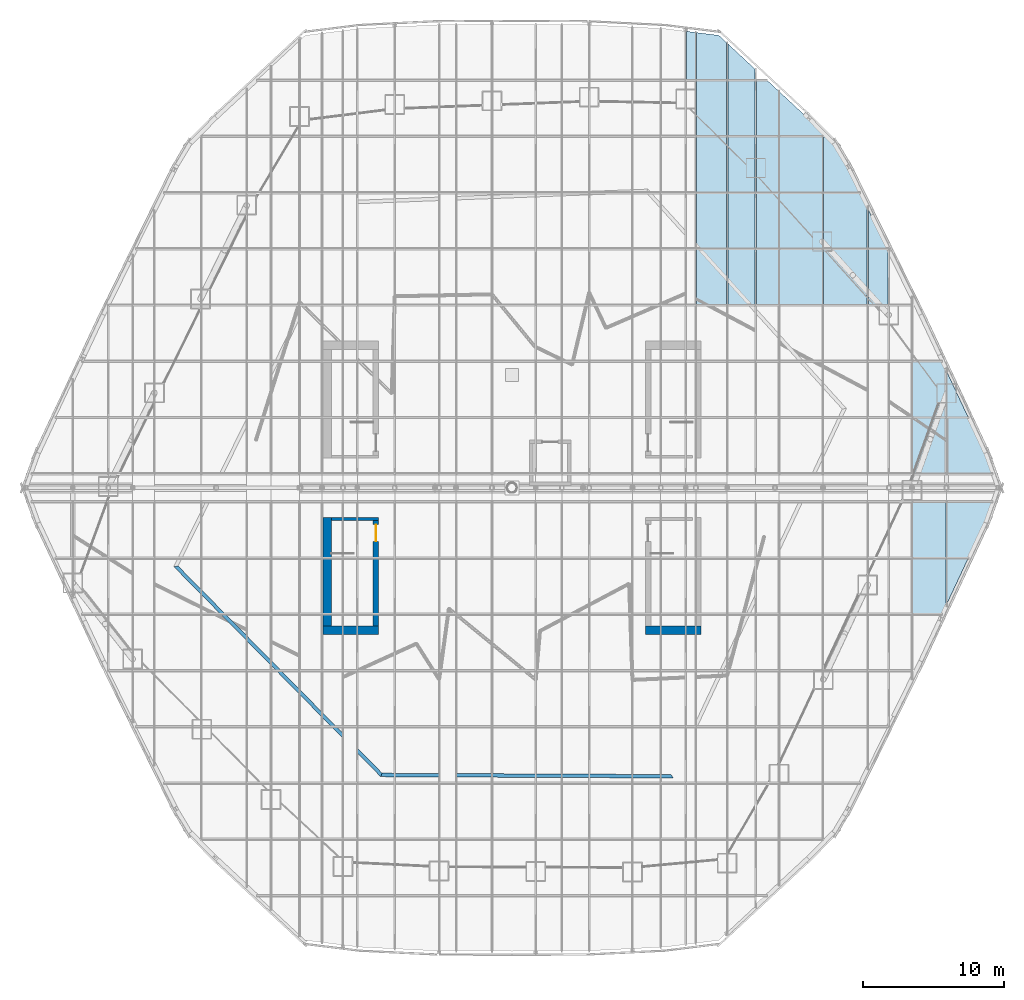
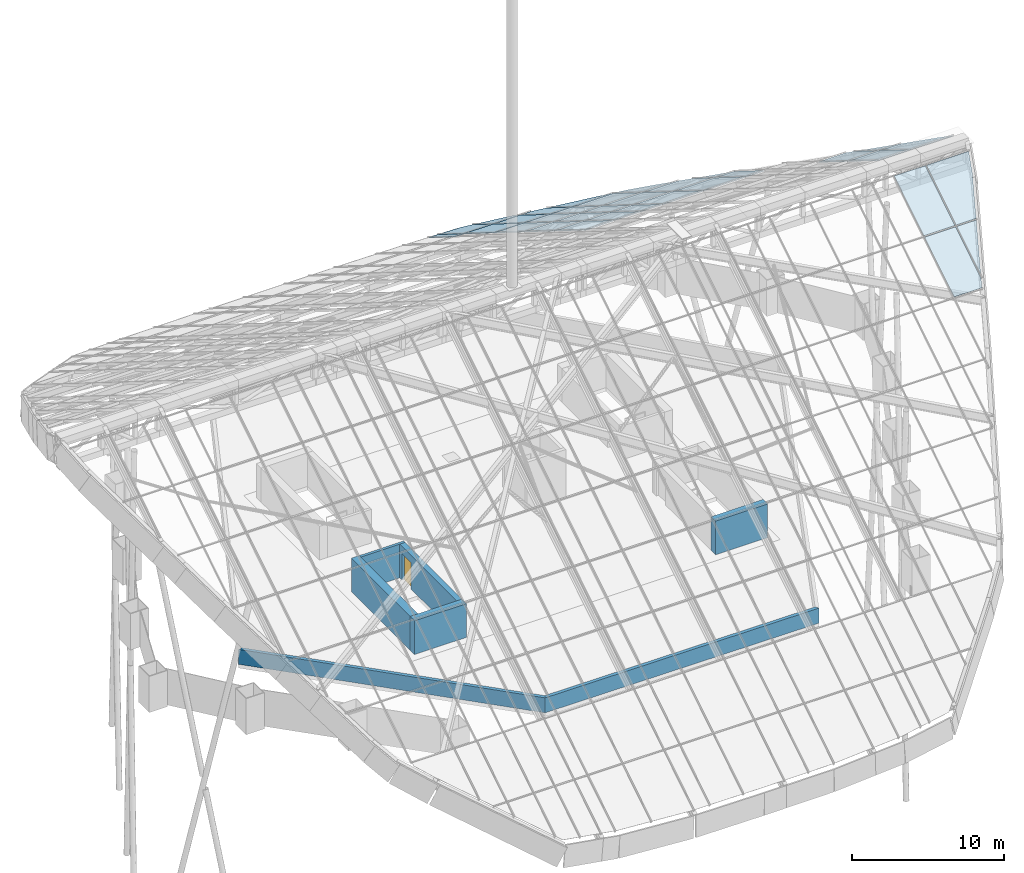
# One storey, part 35 of 38: 32 plates, 7 walls, 1 door, 1 opening, 32 elements without a shape of their own.
"""IFC4 building model written with IfcOpenShell, lengths in metres."""

from ifc_helpers import new_model, si_unit, direction, frame, frame_2d, origin, place, context, subcontext, project, spatial, polyline, rectangle, outline, extrude, material, layer, layer_set, type_object, element, fill, aggregate, save


model = new_model("IFC4")

# Units and contexts
model_context = context("Model", 3, precision=1e-05, world=origin(), true_north=direction((0.0, 1.0)))
body_context = subcontext(model_context, "Body", "Model", "MODEL_VIEW")
ifc_project = project(units=[si_unit("LENGTHUNIT", "METRE"), si_unit("AREAUNIT", "SQUARE_METRE"), si_unit("VOLUMEUNIT", "CUBIC_METRE"), si_unit("PLANEANGLEUNIT", "RADIAN"), si_unit("MASSUNIT", "GRAM", prefix="KILO")], contexts=[model_context])

# Site, building, storey
site_placement = place(None, origin())
site = spatial("IfcSite", under=ifc_project, at=site_placement, CompositionType="ELEMENT")
building_placement = place(site_placement, origin())
building = spatial("IfcBuilding", under=site, at=building_placement, Name="Dongbaek Canopy Tower", CompositionType="ELEMENT")
storey_placement = place(building_placement, frame((0.0, 0.0, 375.800048828125)))
storey = spatial("IfcBuildingStorey", under=building, at=storey_placement, Name="Roof", CompositionType="ELEMENT", Elevation=375.800048828125)

# Curtain wall, plate
ifc_material_1 = material(Name="Aluminium 6063-T6 pale anodised", Category="aluminium")
ifc_layer_1 = layer(ifc_material_1, 0.199951171875)
ifc_layer_set_1 = layer_set([ifc_layer_1], Name="CW-6 canopy glazing curtain wall")
curtain_wall_type = type_object("IfcCurtainWallType", Name="CW-6 canopy glazing curtain wall", PredefinedType="NOTDEFINED", material=ifc_layer_set_1)
curtain_wall_1_placement = place(storey_placement, origin())
curtain_wall_1 = element("IfcCurtainWall", 1, at=curtain_wall_1_placement, inside=storey, type_object=curtain_wall_type, Name="CW-6 canopy glazing north 22.8", PredefinedType="NOTDEFINED")
ifc_material_2 = material(Name="Clear laminated glass", Category="glass")
ifc_layer_2 = layer(ifc_material_2, 0.0400390625)
ifc_layer_set_2 = layer_set([ifc_layer_2], Name="CW-6 glazed panel 40")
plate_type = type_object("IfcPlateType", Name="CW-6 glazed panel 40", PredefinedType="CURTAIN_PANEL", material=ifc_layer_set_2)
plate_1_placement = place(storey_placement, frame((12.9921875, 28.946533203125, 0.659423828125), z_axis=(1.4860009e-05, 0.529935495472, 0.848037953406), x_axis=(-0.99999999989, 7.874846e-06, 1.2601852e-05)))
plate_1 = element("IfcPlate", 2, at=plate_1_placement, type_object=plate_type, Name="CW-6 panel N22.8", PredefinedType="CURTAIN_PANEL", context=body_context, shape_type="SweptSolid", body=[
    extrude(outline(polyline([(0.0, 0.0), (0.6352539061798617, 5.380809884657445e-22), (0.6352539063201383, -4.024679462619028), (-1.4027668391832556e-10, -3.931127401954902), (0.0, 0.0)])), origin(), (0.0, 0.0, -1.0), 0.0400390625),
])
aggregate(curtain_wall_1, [plate_1])

curtain_wall_2_placement = place(storey_placement, origin())
curtain_wall_2 = element("IfcCurtainWall", 3, at=curtain_wall_2_placement, inside=storey, type_object=curtain_wall_type, Name="CW-6 canopy glazing north 23.4", PredefinedType="NOTDEFINED")
plate_2_placement = place(storey_placement, frame((15.208984375, 13.001708984375, 10.622802734375), z_axis=(0.0, 0.52990827259, 0.848054964398), x_axis=(-1.0, 0.0, 0.0)))
plate_2 = element("IfcPlate", 4, at=plate_2_placement, type_object=plate_type, Name="CW-6 panel N23.4", PredefinedType="CURTAIN_PANEL", context=body_context, shape_type="SweptSolid", body=[
    extrude(outline(polyline([(0.0, 0.0), (2.130615234375, 0.0), (2.130615234375, -4.59893125811938), (0.0, -4.59893125811938), (0.0, 0.0)])), origin(), (0.0, 0.0, -1.0), 0.0400390625),
])
aggregate(curtain_wall_2, [plate_2])

curtain_wall_3_placement = place(storey_placement, origin())
curtain_wall_3 = element("IfcCurtainWall", 5, at=curtain_wall_3_placement, inside=storey, type_object=curtain_wall_type, Name="CW-6 canopy glazing north 23.5", PredefinedType="NOTDEFINED")
plate_3_placement = place(storey_placement, frame((15.208984375, 16.98779296875, 8.132080078125), z_axis=(0.0, 0.529946450558, 0.848031107649), x_axis=(-1.0, 0.0, 0.0)))
plate_3 = element("IfcPlate", 6, at=plate_3_placement, type_object=plate_type, Name="CW-6 panel N23.5", PredefinedType="CURTAIN_PANEL", context=body_context, shape_type="SweptSolid", body=[
    extrude(outline(polyline([(0.0, 0.0), (2.130615234375, 0.0), (2.130615234375, -4.599060634916706), (0.0, -4.599060634916706), (0.0, 0.0)])), origin(), (0.0, 0.0, -1.0), 0.0400390625),
])
aggregate(curtain_wall_3, [plate_3])

curtain_wall_4_placement = place(storey_placement, origin())
curtain_wall_4 = element("IfcCurtainWall", 7, at=curtain_wall_4_placement, inside=storey, type_object=curtain_wall_type, Name="CW-6 canopy glazing north 23.6", PredefinedType="NOTDEFINED")
plate_4_placement = place(storey_placement, frame((15.208984375, 20.97412109375, 5.64111328125), z_axis=(0.0, 0.52990827259, 0.848054964398), x_axis=(-1.0, 0.0, 0.0)))
plate_4 = element("IfcPlate", 8, at=plate_4_placement, type_object=plate_type, Name="CW-6 panel N23.6", PredefinedType="CURTAIN_PANEL", context=body_context, shape_type="SweptSolid", body=[
    extrude(outline(polyline([(0.0, 0.0), (2.130615234375, 0.0), (2.130615234375, -4.59893125811938), (0.0, -4.59893125811938), (0.0, 0.0)])), origin(), (0.0, 0.0, -1.0), 0.0400390625),
])
aggregate(curtain_wall_4, [plate_4])

curtain_wall_5_placement = place(storey_placement, origin())
curtain_wall_5 = element("IfcCurtainWall", 9, at=curtain_wall_5_placement, inside=storey, type_object=curtain_wall_type, Name="CW-6 canopy glazing north 23.7", PredefinedType="NOTDEFINED")
plate_5_placement = place(storey_placement, frame((15.208984375, 24.960205078125, 3.150390625), z_axis=(0.0, 0.529946450558, 0.848031107649), x_axis=(-1.0, 0.0, 0.0)))
plate_5 = element("IfcPlate", 10, at=plate_5_placement, type_object=plate_type, Name="CW-6 panel N23.7", PredefinedType="CURTAIN_PANEL", context=body_context, shape_type="SweptSolid", body=[
    extrude(outline(polyline([(0.0, 0.0), (2.130615234375, 0.0), (2.130615234375, -4.599060634916706), (0.0, -4.599060634916706), (0.0, 0.0)])), origin(), (0.0, 0.0, -1.0), 0.0400390625),
])
aggregate(curtain_wall_5, [plate_5])

curtain_wall_6_placement = place(storey_placement, origin())
curtain_wall_6 = element("IfcCurtainWall", 11, at=curtain_wall_6_placement, inside=storey, type_object=curtain_wall_type, Name="CW-6 canopy glazing north 23.8", PredefinedType="NOTDEFINED")
plate_6_placement = place(storey_placement, frame((15.208984375, 31.557861328125, -0.972412109375), z_axis=(1.8974071e-05, 0.529909270428, 0.848054340685), x_axis=(-7.31e-10, -0.848054340837, 0.529909270524)))
plate_6 = element("IfcPlate", 12, at=plate_6_placement, type_object=plate_type, Name="CW-6 panel N23.8", PredefinedType="CURTAIN_PANEL", context=body_context, shape_type="SweptSolid", body=[
    extrude(outline(polyline([(0.0, 0.0), (3.079273143011842, -3.3881317890172014e-21), (3.079273144568477, -2.130615233991473), (-0.8391218698214117, -2.130615236358199), (-0.6070403106565837, -0.5534668004202177), (0.0, 0.0)])), origin(), (0.0, 0.0, -1.0), 0.0400390625),
])
aggregate(curtain_wall_6, [plate_6])

curtain_wall_7_placement = place(storey_placement, origin())
curtain_wall_7 = element("IfcCurtainWall", 13, at=curtain_wall_7_placement, inside=storey, type_object=curtain_wall_type, Name="CW-6 canopy glazing north 24.4", PredefinedType="NOTDEFINED")
plate_7_placement = place(storey_placement, frame((17.23291015625, 13.001708984375, 10.622802734375), z_axis=(0.0, 0.52990827259, 0.848054964398), x_axis=(-1.0, 0.0, 0.0)))
plate_7 = element("IfcPlate", 14, at=plate_7_placement, type_object=plate_type, Name="CW-6 panel N24.4", PredefinedType="CURTAIN_PANEL", context=body_context, shape_type="SweptSolid", body=[
    extrude(outline(polyline([(0.0, 0.0), (1.93798828125, 0.0), (1.93798828125, -4.59893125811938), (0.0, -4.59893125811938), (0.0, 0.0)])), origin(), (0.0, 0.0, -1.0), 0.0400390625),
])
aggregate(curtain_wall_7, [plate_7])

curtain_wall_8_placement = place(storey_placement, origin())
curtain_wall_8 = element("IfcCurtainWall", 15, at=curtain_wall_8_placement, inside=storey, type_object=curtain_wall_type, Name="CW-6 canopy glazing north 24.5", PredefinedType="NOTDEFINED")
plate_8_placement = place(storey_placement, frame((17.23291015625, 16.98779296875, 8.132080078125), z_axis=(0.0, 0.529946450558, 0.848031107649), x_axis=(-1.0, 0.0, 0.0)))
plate_8 = element("IfcPlate", 16, at=plate_8_placement, type_object=plate_type, Name="CW-6 panel N24.5", PredefinedType="CURTAIN_PANEL", context=body_context, shape_type="SweptSolid", body=[
    extrude(outline(polyline([(0.0, 0.0), (1.93798828125, 0.0), (1.93798828125, -4.599060634916705), (0.0, -4.599060634916705), (0.0, 0.0)])), origin(), (0.0, 0.0, -1.0), 0.0400390625),
])
aggregate(curtain_wall_8, [plate_8])

curtain_wall_9_placement = place(storey_placement, origin())
curtain_wall_9 = element("IfcCurtainWall", 17, at=curtain_wall_9_placement, inside=storey, type_object=curtain_wall_type, Name="CW-6 canopy glazing north 24.6", PredefinedType="NOTDEFINED")
plate_9_placement = place(storey_placement, frame((17.23291015625, 20.97412109375, 5.64111328125), z_axis=(0.0, 0.52990827259, 0.848054964398), x_axis=(-1.0, 0.0, 0.0)))
plate_9 = element("IfcPlate", 18, at=plate_9_placement, type_object=plate_type, Name="CW-6 panel N24.6", PredefinedType="CURTAIN_PANEL", context=body_context, shape_type="SweptSolid", body=[
    extrude(outline(polyline([(0.0, 0.0), (1.93798828125, 0.0), (1.93798828125, -4.59893125811938), (0.0, -4.59893125811938), (0.0, 0.0)])), origin(), (0.0, 0.0, -1.0), 0.0400390625),
])
aggregate(curtain_wall_9, [plate_9])

curtain_wall_10_placement = place(storey_placement, origin())
curtain_wall_10 = element("IfcCurtainWall", 19, at=curtain_wall_10_placement, inside=storey, type_object=curtain_wall_type, Name="CW-6 canopy glazing north 24.7", PredefinedType="NOTDEFINED")
plate_10_placement = place(storey_placement, frame((17.23291015625, 24.960205078125, 3.150390625), z_axis=(0.0, 0.529946450558, 0.848031107649), x_axis=(-1.0, 0.0, 0.0)))
plate_10 = element("IfcPlate", 20, at=plate_10_placement, type_object=plate_type, Name="CW-6 panel N24.7", PredefinedType="CURTAIN_PANEL", context=body_context, shape_type="SweptSolid", body=[
    extrude(outline(polyline([(0.0, 0.0), (1.93798828125, 0.0), (1.93798828125, -4.599060634916705), (0.0, -4.599060634916705), (0.0, 0.0)])), origin(), (0.0, 0.0, -1.0), 0.0400390625),
])
aggregate(curtain_wall_10, [plate_10])

curtain_wall_11_placement = place(storey_placement, origin())
curtain_wall_11 = element("IfcCurtainWall", 21, at=curtain_wall_11_placement, inside=storey, type_object=curtain_wall_type, Name="CW-6 canopy glazing north 24.8", PredefinedType="NOTDEFINED")
plate_11_placement = place(storey_placement, frame((17.23291015625, 28.946533203125, 0.659423828125), z_axis=(1.807906e-05, 0.529913318298, 0.848051811368), x_axis=(-0.999999999837, 9.580335e-06, 1.5331979e-05)))
plate_11 = element("IfcPlate", 22, at=plate_11_placement, type_object=plate_type, Name="CW-6 panel N24.8", PredefinedType="CURTAIN_PANEL", context=body_context, shape_type="SweptSolid", body=[
    extrude(outline(polyline([(0.0, 0.0), (1.937988280933282, 0.0), (1.9379882815667182, -2.9850482478807665), (-6.334361186864648e-10, -0.8596437893707528), (0.0, 0.0)])), origin(), (0.0, 0.0, -1.0), 0.0400390625),
])
aggregate(curtain_wall_11, [plate_11])

curtain_wall_12_placement = place(storey_placement, origin())
curtain_wall_12 = element("IfcCurtainWall", 23, at=curtain_wall_12_placement, inside=storey, type_object=curtain_wall_type, Name="CW-6 canopy glazing north 25.4", PredefinedType="NOTDEFINED")
plate_12_placement = place(storey_placement, frame((18.882080078125, 13.001708984375, 10.622802734375), z_axis=(0.0, 0.52990827259, 0.848054964398), x_axis=(-1.0, 0.0, 0.0)))
plate_12 = element("IfcPlate", 24, at=plate_12_placement, type_object=plate_type, Name="CW-6 panel N25.4", PredefinedType="CURTAIN_PANEL", context=body_context, shape_type="SweptSolid", body=[
    extrude(outline(polyline([(0.0, 0.0), (1.56298828125, 0.0), (1.56298828125, -4.59893125811938), (0.0, -4.59893125811938), (0.0, 0.0)])), origin(), (0.0, 0.0, -1.0), 0.0400390625),
])
aggregate(curtain_wall_12, [plate_12])

curtain_wall_13_placement = place(storey_placement, origin())
curtain_wall_13 = element("IfcCurtainWall", 25, at=curtain_wall_13_placement, inside=storey, type_object=curtain_wall_type, Name="CW-6 canopy glazing north 25.5", PredefinedType="NOTDEFINED")
plate_13_placement = place(storey_placement, frame((18.882080078125, 16.98779296875, 8.132080078125), z_axis=(0.0, 0.529946450558, 0.848031107649), x_axis=(-1.0, 0.0, 0.0)))
plate_13 = element("IfcPlate", 26, at=plate_13_placement, type_object=plate_type, Name="CW-6 panel N25.5", PredefinedType="CURTAIN_PANEL", context=body_context, shape_type="SweptSolid", body=[
    extrude(outline(polyline([(0.0, 0.0), (1.56298828125, 0.0), (1.56298828125, -4.599060634916705), (0.0, -4.599060634916705), (0.0, 0.0)])), origin(), (0.0, 0.0, -1.0), 0.0400390625),
])
aggregate(curtain_wall_13, [plate_13])

curtain_wall_14_placement = place(storey_placement, origin())
curtain_wall_14 = element("IfcCurtainWall", 27, at=curtain_wall_14_placement, inside=storey, type_object=curtain_wall_type, Name="CW-6 canopy glazing north 25.6", PredefinedType="NOTDEFINED")
plate_14_placement = place(storey_placement, frame((18.882080078125, 20.97412109375, 5.64111328125), z_axis=(0.0, 0.52990827259, 0.848054964398), x_axis=(-1.0, 0.0, 0.0)))
plate_14 = element("IfcPlate", 28, at=plate_14_placement, type_object=plate_type, Name="CW-6 panel N25.6", PredefinedType="CURTAIN_PANEL", context=body_context, shape_type="SweptSolid", body=[
    extrude(outline(polyline([(0.0, 0.0), (1.56298828125, 0.0), (1.56298828125, -4.59893125811938), (0.0, -4.59893125811938), (0.0, 0.0)])), origin(), (0.0, 0.0, -1.0), 0.0400390625),
])
aggregate(curtain_wall_14, [plate_14])

curtain_wall_15_placement = place(storey_placement, origin())
curtain_wall_15 = element("IfcCurtainWall", 29, at=curtain_wall_15_placement, inside=storey, type_object=curtain_wall_type, Name="CW-6 canopy glazing north 25.7", PredefinedType="NOTDEFINED")
plate_15_placement = place(storey_placement, frame((18.882080078125, 24.960205078125, 3.150390625), z_axis=(-3.4918599e-05, 0.529941476567, 0.848034215226), x_axis=(-0.99999999939, -1.8504814e-05, -2.9612167e-05)))
plate_15 = element("IfcPlate", 30, at=plate_15_placement, type_object=plate_type, Name="CW-6 panel N25.7", PredefinedType="CURTAIN_PANEL", context=body_context, shape_type="SweptSolid", body=[
    extrude(outline(polyline([(0.0, 0.0), (1.5629882802971176, 5.295610281564483e-21), (1.5629882812389857, -4.599060634837606), (0.7724609379709342, -4.599060634837606), (-2.869661735208041e-09, -3.7520198539005936), (0.0, 0.0)])), origin(), (0.0, 0.0, -1.0), 0.0400390625),
])
aggregate(curtain_wall_15, [plate_15])

curtain_wall_16_placement = place(storey_placement, origin())
curtain_wall_16 = element("IfcCurtainWall", 31, at=curtain_wall_16_placement, inside=storey, type_object=curtain_wall_type, Name="CW-6 canopy glazing north 26.4", PredefinedType="NOTDEFINED")
plate_16_placement = place(storey_placement, frame((21.9921875, 13.001708984375, 10.622802734375), z_axis=(0.0, 0.52990827259, 0.848054964398), x_axis=(-1.0, 0.0, 0.0)))
plate_16 = element("IfcPlate", 32, at=plate_16_placement, type_object=plate_type, Name="CW-6 panel N26.4", PredefinedType="CURTAIN_PANEL", context=body_context, shape_type="SweptSolid", body=[
    extrude(outline(polyline([(0.0, 0.0), (3.024169921875, 0.0), (3.024169921875, -4.59893125811938), (0.0, -4.59893125811938), (0.0, 0.0)])), origin(), (0.0, 0.0, -1.0), 0.0400390625),
])
aggregate(curtain_wall_16, [plate_16])

curtain_wall_17_placement = place(storey_placement, origin())
curtain_wall_17 = element("IfcCurtainWall", 33, at=curtain_wall_17_placement, inside=storey, type_object=curtain_wall_type, Name="CW-6 canopy glazing north 26.5", PredefinedType="NOTDEFINED")
plate_17_placement = place(storey_placement, frame((21.9921875, 16.98779296875, 8.132080078125), z_axis=(0.0, 0.529946450558, 0.848031107649), x_axis=(-1.0, 0.0, 0.0)))
plate_17 = element("IfcPlate", 34, at=plate_17_placement, type_object=plate_type, Name="CW-6 panel N26.5", PredefinedType="CURTAIN_PANEL", context=body_context, shape_type="SweptSolid", body=[
    extrude(outline(polyline([(0.0, 0.0), (3.024169921875, 0.0), (3.024169921875, -4.599060634916705), (0.0, -4.599060634916705), (0.0, 0.0)])), origin(), (0.0, 0.0, -1.0), 0.0400390625),
])
aggregate(curtain_wall_17, [plate_17])

curtain_wall_18_placement = place(storey_placement, origin())
curtain_wall_18 = element("IfcCurtainWall", 35, at=curtain_wall_18_placement, inside=storey, type_object=curtain_wall_type, Name="CW-6 canopy glazing north 26.6", PredefinedType="NOTDEFINED")
plate_18_placement = place(storey_placement, frame((21.9921875, 20.97412109375, 5.64111328125), z_axis=(0.0, 0.52990827259, 0.848054964398), x_axis=(-1.0, 0.0, 0.0)))
plate_18 = element("IfcPlate", 36, at=plate_18_placement, type_object=plate_type, Name="CW-6 panel N26.6", PredefinedType="CURTAIN_PANEL", context=body_context, shape_type="SweptSolid", body=[
    extrude(outline(polyline([(0.0, 0.0), (3.024169921875, 0.0), (3.024169921875, -4.59893125811938), (0.0, -4.59893125811938), (0.0, 0.0)])), origin(), (0.0, 0.0, -1.0), 0.0400390625),
])
aggregate(curtain_wall_18, [plate_18])

curtain_wall_19_placement = place(storey_placement, origin())
curtain_wall_19 = element("IfcCurtainWall", 37, at=curtain_wall_19_placement, inside=storey, type_object=curtain_wall_type, Name="CW-6 canopy glazing north 26.7", PredefinedType="NOTDEFINED")
plate_19_placement = place(storey_placement, frame((21.9921875, 25.167236328125, 3.02099609375), z_axis=(3.1873637e-05, 0.529944449634, 0.848032357452), x_axis=(-2.048e-09, -0.848032357883, 0.529944449903)))
plate_19 = element("IfcPlate", 38, at=plate_19_placement, type_object=plate_type, Name="CW-6 panel N26.7", PredefinedType="CURTAIN_PANEL", context=body_context, shape_type="SweptSolid", body=[
    extrude(outline(polyline([(0.0, 0.0), (0.2441411127767522, 0.0), (0.24414111897047433, -3.0241699203388293), (-3.4134467947713407, -3.024169931061921), (-1.155335577257856, -0.9648437503347469), (0.0, 0.0)])), origin(), (0.0, 0.0, -1.0), 0.0400390625),
])
aggregate(curtain_wall_19, [plate_19])

curtain_wall_20_placement = place(storey_placement, origin())
curtain_wall_20 = element("IfcCurtainWall", 39, at=curtain_wall_20_placement, inside=storey, type_object=curtain_wall_type, Name="CW-6 canopy glazing north 27.4", PredefinedType="NOTDEFINED")
plate_20_placement = place(storey_placement, frame((25.1669921875, 13.001708984375, 10.622802734375), z_axis=(0.0, 0.52990827259, 0.848054964398), x_axis=(-1.0, 0.0, 0.0)))
plate_20 = element("IfcPlate", 40, at=plate_20_placement, type_object=plate_type, Name="CW-6 panel N27.4", PredefinedType="CURTAIN_PANEL", context=body_context, shape_type="SweptSolid", body=[
    extrude(outline(polyline([(0.0, 0.0), (3.088623046875, 0.0), (3.088623046875, -4.59893125811938), (0.0, -4.59893125811938), (0.0, 0.0)])), origin(), (0.0, 0.0, -1.0), 0.0400390625),
])
aggregate(curtain_wall_20, [plate_20])

curtain_wall_21_placement = place(storey_placement, origin())
curtain_wall_21 = element("IfcCurtainWall", 41, at=curtain_wall_21_placement, inside=storey, type_object=curtain_wall_type, Name="CW-6 canopy glazing north 27.5", PredefinedType="NOTDEFINED")
plate_21_placement = place(storey_placement, frame((25.1669921875, 19.9169921875, 6.3017578125), z_axis=(-2.4513624e-05, 0.529944290759, 0.84803245698), x_axis=(-9.92e-10, -0.848032457235, 0.529944290918)))
plate_21 = element("IfcPlate", 42, at=plate_21_placement, type_object=plate_type, Name="CW-6 panel N27.5", PredefinedType="CURTAIN_PANEL", context=body_context, shape_type="SweptSolid", body=[
    extrude(outline(polyline([(0.0, 0.0), (3.4540248464144123, 0.0), (3.454024849476999, -3.088623045946995), (-1.145035785424792, -3.0886230507943955), (-1.145035788013623, -0.477783207828846), (0.0, 0.0)])), origin(), (0.0, 0.0, -1.0), 0.0400390625),
])
aggregate(curtain_wall_21, [plate_21])

curtain_wall_22_placement = place(storey_placement, origin())
curtain_wall_22 = element("IfcCurtainWall", 43, at=curtain_wall_22_placement, inside=storey, type_object=curtain_wall_type, Name="CW-6 canopy glazing north 27.6", PredefinedType="NOTDEFINED")
plate_22_placement = place(storey_placement, frame((23.782470703125, 22.731689453125, 4.54296875), z_axis=(6.481733e-06, 0.529913560668, 0.848051660088), x_axis=(0.384990735615, -0.782685531301, 0.489065938889)))
plate_22 = element("IfcPlate", 44, at=plate_22_placement, type_object=plate_type, Name="CW-6 panel N27.6", PredefinedType="CURTAIN_PANEL", context=body_context, shape_type="SweptSolid", body=[
    extrude(outline(polyline([(0.0, 0.0), (2.245513654242524, -2.7755575615628914e-17), (1.2566250972576005, -2.370616679699229), (-2.9878225503335303, -0.6000707517596977), (-2.9099032827980773, -0.41327850506540426), (-2.058752648758994, -0.1493294745447552), (0.0, 0.0)])), origin(), (0.0, 0.0, -1.0), 0.0400390625),
])
aggregate(curtain_wall_22, [plate_22])

curtain_wall_23_placement = place(storey_placement, origin())
curtain_wall_23 = element("IfcCurtainWall", 45, at=curtain_wall_23_placement, inside=storey, type_object=curtain_wall_type, Name="CW-6 canopy glazing north 28.4", PredefinedType="NOTDEFINED")
plate_23_placement = place(storey_placement, frame((26.659912109375, 13.001708984375, 10.622802734375), z_axis=(1.7497723e-05, 0.529908304019, 0.848054944579), x_axis=(-0.999999999847, 9.272189e-06, 1.4839031e-05)))
plate_23 = element("IfcPlate", 46, at=plate_23_placement, type_object=plate_type, Name="CW-6 panel N28.4", PredefinedType="CURTAIN_PANEL", context=body_context, shape_type="SweptSolid", body=[
    extrude(outline(polyline([(0.0, 0.0), (1.4069824216596118, 2.3835209350715492e-21), (1.4069824216626017, -4.598931258119377), (0.009765625001494974, -4.598931258119377), (-8.585625506642657e-10, -4.5753556162797135), (0.0, 0.0)])), origin(), (0.0, 0.0, -1.0), 0.0400390625),
])
aggregate(curtain_wall_23, [plate_23])

curtain_wall_24_placement = place(storey_placement, origin())
curtain_wall_24 = element("IfcCurtainWall", 47, at=curtain_wall_24_placement, inside=storey, type_object=curtain_wall_type, Name="CW-6 canopy glazing north 28.5", PredefinedType="NOTDEFINED")
plate_24_placement = place(storey_placement, frame((25.2529296875, 19.7421875, 6.410888671875), z_axis=(0.0, 0.529931371965, 0.848040530286), x_axis=(0.385019037555, -0.78266392463, 0.489078236894)))
plate_24 = element("IfcPlate", 48, at=plate_24_placement, type_object=plate_type, Name="CW-6 panel N28.5", PredefinedType="CURTAIN_PANEL", context=body_context, shape_type="SweptSolid", body=[
    extrude(outline(polyline([(0.0, 0.0), (3.519255768116709, 5.551115123125783e-17), (2.99756249213283, -1.250523169112503), (0.0, 0.0)])), origin(), (0.0, 0.0, -1.0), 0.0400390625),
])
aggregate(curtain_wall_24, [plate_24])

curtain_wall_25_placement = place(storey_placement, origin())
curtain_wall_25 = element("IfcCurtainWall", 49, at=curtain_wall_25_placement, inside=storey, type_object=curtain_wall_type, Name="CW-6 canopy glazing north 30.1", PredefinedType="NOTDEFINED")
plate_25_placement = place(storey_placement, frame((30.761962890625, 1.04296875, 18.095458984375), z_axis=(0.0, 0.52990827259, 0.848054964398), x_axis=(-1.0, 0.0, 0.0)))
plate_25 = element("IfcPlate", 50, at=plate_25_placement, type_object=plate_type, Name="CW-6 panel N30.1", PredefinedType="CURTAIN_PANEL", context=body_context, shape_type="SweptSolid", body=[
    extrude(outline(polyline([(0.0, 0.0), (2.367919921875, 0.0), (2.367919921875, -4.59893125811938), (0.0, -4.59893125811938), (0.0, 0.0)])), origin(), (0.0, 0.0, -1.0), 0.0400390625),
])
aggregate(curtain_wall_25, [plate_25])

curtain_wall_26_placement = place(storey_placement, origin())
curtain_wall_26 = element("IfcCurtainWall", 51, at=curtain_wall_26_placement, inside=storey, type_object=curtain_wall_type, Name="CW-6 canopy glazing north 30.2", PredefinedType="NOTDEFINED")
plate_26_placement = place(storey_placement, frame((30.761962890625, 8.362060546875, 13.52197265625), z_axis=(6.809723e-06, 0.529908606131, 0.848054755957), x_axis=(-5.3e-11, -0.848054755977, 0.529908606143)))
plate_26 = element("IfcPlate", 52, at=plate_26_placement, type_object=plate_type, Name="CW-6 panel N30.2", PredefinedType="CURTAIN_PANEL", context=body_context, shape_type="SweptSolid", body=[
    extrude(outline(polyline([(0.0, 0.0), (3.9299111045519597, -1.6940658945086007e-21), (3.9299111046768624, -2.3679199218200973), (-0.6690201534421619, -2.3679199220749987), (-0.6690201535530533, -0.26562500024874247), (0.0, 0.0)])), origin(), (0.0, 0.0, -1.0), 0.0400390625),
])
aggregate(curtain_wall_26, [plate_26])

curtain_wall_27_placement = place(storey_placement, origin())
curtain_wall_27 = element("IfcCurtainWall", 53, at=curtain_wall_27_placement, inside=storey, type_object=curtain_wall_type, Name="CW-6 canopy glazing north 31.1", PredefinedType="NOTDEFINED")
plate_27_placement = place(storey_placement, frame((34.04638671875, 1.04296875, 18.095458984375), z_axis=(-2.5565239e-05, 0.529900334282, 0.848059924224), x_axis=(-0.999999999673, -1.3547029e-05, -2.1680855e-05)))
plate_27 = element("IfcPlate", 54, at=plate_27_placement, type_object=plate_type, Name="CW-6 panel N31.1", PredefinedType="CURTAIN_PANEL", context=body_context, shape_type="SweptSolid", body=[
    extrude(outline(polyline([(0.0, 0.0), (3.1984863270797645, -5.418446602528608e-21), (3.19848632818029, -4.598931257917908), (1.6838378911752627, -4.598931257917908), (0.45849609081941484, -1.512748462223637), (0.0, 0.0)])), origin(), (0.0, 0.0, -1.0), 0.0400390625),
])
aggregate(curtain_wall_27, [plate_27])

curtain_wall_28_placement = place(storey_placement, origin())
curtain_wall_28 = element("IfcCurtainWall", 55, at=curtain_wall_28_placement, inside=storey, type_object=curtain_wall_type, Name="CW-6 canopy glazing north 31.2", PredefinedType="NOTDEFINED")
plate_28_placement = place(storey_placement, frame((30.847900390625, 8.17822265625, 13.636962890625), z_axis=(0.0, 0.52989255114, 0.848064787765), x_axis=(0.369045306514, -0.788201086838, 0.492488181023)))
plate_28 = element("IfcPlate", 56, at=plate_28_placement, type_object=plate_type, Name="CW-6 panel N31.2", PredefinedType="CURTAIN_PANEL", context=body_context, shape_type="SweptSolid", body=[
    extrude(outline(polyline([(0.0, 0.0), (3.995079217514467, 2.220446049250313e-16), (3.4509716476810843, -1.3702918655467744), (0.0, 0.0)])), origin(), (0.0, 0.0, -1.0), 0.0400390625),
])
aggregate(curtain_wall_28, [plate_28])

curtain_wall_29_placement = place(storey_placement, origin())
curtain_wall_29 = element("IfcCurtainWall", 57, at=curtain_wall_29_placement, inside=storey, type_object=curtain_wall_type, Name="CW-6 canopy glazing south 30.1", PredefinedType="NOTDEFINED")
plate_29_placement = place(storey_placement, frame((30.761962890625, -4.943115234375, 15.658447265625), z_axis=(0.0, -0.52990827259, 0.848054964398), x_axis=(-1.0, 0.0, 0.0)))
plate_29 = element("IfcPlate", 58, at=plate_29_placement, type_object=plate_type, Name="CW-6 panel S30.1", PredefinedType="CURTAIN_PANEL", context=body_context, shape_type="SweptSolid", body=[
    extrude(outline(polyline([(0.0, 0.0), (2.367919921875, 0.0), (2.367919921875, -4.59893125811938), (0.0, -4.59893125811938), (0.0, 0.0)])), origin(), (0.0, 0.0, -1.0), 0.0400390625),
])
aggregate(curtain_wall_29, [plate_29])

curtain_wall_30_placement = place(storey_placement, origin())
curtain_wall_30 = element("IfcCurtainWall", 59, at=curtain_wall_30_placement, inside=storey, type_object=curtain_wall_type, Name="CW-6 canopy glazing south 30.2", PredefinedType="NOTDEFINED")
plate_30_placement = place(storey_placement, frame((30.761962890625, -8.362060546875, 13.52197265625), z_axis=(6.809723e-06, -0.529908606131, 0.848054755957), x_axis=(-0.369014521389, -0.788203460881, -0.492507448938)))
plate_30 = element("IfcPlate", 60, at=plate_30_placement, type_object=plate_type, Name="CW-6 panel S30.2", PredefinedType="CURTAIN_PANEL", context=body_context, shape_type="SweptSolid", body=[
    extrude(outline(polyline([(0.0, 0.0), (0.7198226216348689, 4.163336342344337e-17), (1.4955999760483025, -1.953922576438421), (-2.7787554055128165, -3.650994993580286), (-3.6525522421701027, -1.4501942655723608), (0.0, 0.0)])), origin(), (0.0, 0.0, -1.0), 0.0400390625),
])
aggregate(curtain_wall_30, [plate_30])

curtain_wall_31_placement = place(storey_placement, origin())
curtain_wall_31 = element("IfcCurtainWall", 61, at=curtain_wall_31_placement, inside=storey, type_object=curtain_wall_type, Name="CW-6 canopy glazing south 31.1", PredefinedType="NOTDEFINED")
plate_31_placement = place(storey_placement, frame((33.587890625, -2.325927734375, 17.2939453125), z_axis=(-2.5565239e-05, -0.529900334282, 0.848059924224), x_axis=(-0.369018819471, -0.788200486665, -0.492508988444)))
plate_31 = element("IfcPlate", 62, at=plate_31_placement, type_object=plate_type, Name="CW-6 panel S31.1", PredefinedType="CURTAIN_PANEL", context=body_context, shape_type="SweptSolid", body=[
    extrude(outline(polyline([(0.0, 0.0), (3.3205401331919813, 1.6653345369377348e-16), (3.8794739115112944, -1.407747462855276), (-0.3948736219641543, -3.1048396460105523), (-1.5751752708618532, -0.13209633349169791), (0.0, 0.0)])), origin(), (0.0, 0.0, -1.0), 0.0400390625),
])
aggregate(curtain_wall_31, [plate_31])

curtain_wall_32_placement = place(storey_placement, origin())
curtain_wall_32 = element("IfcCurtainWall", 63, at=curtain_wall_32_placement, inside=storey, type_object=curtain_wall_type, Name="CW-6 canopy glazing south 31.2", PredefinedType="NOTDEFINED")
plate_32_placement = place(storey_placement, frame((30.847900390625, -8.17822265625, 13.636962890625), z_axis=(0.0, -0.52989255114, 0.848064787765), x_axis=(0.0, 0.848064787765, 0.52989255114)))
plate_32 = element("IfcPlate", 64, at=plate_32_placement, type_object=plate_type, Name="CW-6 panel S31.2", PredefinedType="CURTAIN_PANEL", context=body_context, shape_type="SweptSolid", body=[
    extrude(outline(polyline([(0.0, 0.0), (3.713072192926278, 0.0), (3.713072192926278, -1.474365234375), (0.0, 0.0)])), origin(), (0.0, 0.0, -1.0), 0.0400390625),
])
aggregate(curtain_wall_32, [plate_32])

# Walls
ifc_material_3 = material(Name="Concrete C60/75", Category="concrete")
ifc_layer_3 = layer(ifc_material_3, 0.60009765625)
ifc_layer_set_3 = layer_set([ifc_layer_3], Name="Core wall lining 600 Concrete C60/75")
wall_type_1 = type_object("IfcWallType", Name="Core wall lining 600 Concrete C60/75", PredefinedType="SHEAR", material=ifc_layer_set_3)
for number, where, z_axis, x_axis, name in (
    (65, (9.449951171875, -10.10009765625, 0.0), (0.0, 0.0, 1.0), (1.0, 0.0, 0.0), "Core wall lining"),
    (66, (-9.449951171875, -10.10009765625, 0.0), (0.0, 0.0, 1.0), (-1.0, 0.0, 0.0), "Core wall lining"),
):
    element("IfcWall", number, at=place(storey_placement, frame(where, z_axis=z_axis, x_axis=x_axis)), inside=storey, type_object=wall_type_1, Name=name, PredefinedType="SHEAR", context=body_context, shape_type="SweptSolid", body=[
        extrude(rectangle(XDim=3.949951171875, YDim=0.60009765625, at=frame_2d((1.97509765625, 0.0))), origin(), (0.0, 0.0, 1.0), 2.699951171875),
    ])
wall_1_placement = place(storey_placement, frame((-13.10009765625, -9.800048828125, 0.0), z_axis=(0.0, 0.0, 1.0), x_axis=(0.0, 1.0, 0.0)))
element("IfcWall", 67, at=wall_1_placement, inside=storey, type_object=wall_type_1, Name="Core wall lining", PredefinedType="SHEAR", context=body_context, shape_type="SweptSolid", body=[
    extrude(rectangle(XDim=7.699951171875, YDim=0.60009765625, at=frame_2d((3.85009765625, 0.0))), origin(), (0.0, 0.0, 1.0), 2.699951171875),
])
ifc_material_4 = material(Name="Precast concrete C40/50 with pale metal coping", Category="concrete")
ifc_layer_4 = layer(ifc_material_4, 0.25)
ifc_layer_set_4 = layer_set([ifc_layer_4], Name="Parapet 250")
wall_type_2 = type_object("IfcWallType", Name="Parapet 250", PredefinedType="PARAPET", material=ifc_layer_set_4)
wall_2_placement = place(storey_placement, origin())
element("IfcWall", 68, at=wall_2_placement, inside=storey, type_object=wall_type_2, Name="Parapet Roof ROOF 1", PredefinedType="PARAPET", context=body_context, shape_type="SweptSolid", body=[
    extrude(outline(polyline([(-9.307861328125, -20.4765625), (11.430908203125, -20.569091796875), (11.272216796875, -20.318359375), (-9.20263671875, -20.226806640625), (-9.307861328125, -20.4765625)])), origin(), (0.0, 0.0, 1.0), 1.199951171875),
])
wall_3_placement = place(storey_placement, origin())
element("IfcWall", 69, at=wall_3_placement, inside=storey, type_object=wall_type_2, Name="Parapet Roof ROOF 6", PredefinedType="PARAPET", context=body_context, shape_type="SweptSolid", body=[
    extrude(outline(polyline([(-23.972412109375, -5.587646484375), (-9.307861328125, -20.4765625), (-9.20263671875, -20.226806640625), (-23.669677734375, -5.53857421875), (-23.972412109375, -5.587646484375)])), origin(), (0.0, 0.0, 1.0), 1.199951171875),
])
ifc_material_5 = material(Name="Concrete C60/75", Category="concrete")
ifc_layer_5 = layer(ifc_material_5, 0.199951171875)
ifc_layer_set_5 = layer_set([ifc_layer_5], Name="Riser wall 200 Concrete C60/75")
wall_type_3 = type_object("IfcWallType", Name="Riser wall 200 Concrete C60/75", PredefinedType="SHEAR", material=ifc_layer_set_5)
wall_4_placement = place(storey_placement, frame((-9.449951171875, -2.199951171875, 0.0), z_axis=(0.0, 0.0, 1.0), x_axis=(-1.0, 0.0, 0.0)))
element("IfcWall", 70, at=wall_4_placement, inside=storey, type_object=wall_type_3, Name="Riser wall", PredefinedType="SHEAR", context=body_context, shape_type="SweptSolid", body=[
    extrude(rectangle(XDim=3.35009765625, YDim=0.199951171875, at=frame_2d((1.675048828125, 0.0))), origin(), (0.0, 0.0, 1.0), 2.699951171875),
])

# Wall, opening, door
ifc_material_6 = material(Name="Concrete C60/75", Category="concrete")
ifc_layer_6 = layer(ifc_material_6, 0.39990234375)
ifc_layer_set_6 = layer_set([ifc_layer_6], Name="Stair wall 400 Concrete C60/75")
wall_type_4 = type_object("IfcWallType", Name="Stair wall 400 Concrete C60/75", PredefinedType="SHEAR", material=ifc_layer_set_6)
wall_5_placement = place(storey_placement, frame((-9.64990234375, -9.800048828125, 0.0), z_axis=(0.0, 0.0, 1.0), x_axis=(0.0, 1.0, 0.0)))
wall_5 = element("IfcWall", 71, at=wall_5_placement, inside=storey, type_object=wall_type_4, Name="Stair wall", PredefinedType="SHEAR", context=body_context, shape_type="SweptSolid", body=[
    extrude(rectangle(XDim=7.5, YDim=0.39990234375, at=frame_2d((3.75, 0.0))), origin(), (0.0, 0.0, 1.0), 2.699951171875),
])
opening_placement = place(wall_5_placement, frame((6.0, 0.0, 0.0)))
opening = element("IfcOpeningElement", 72, at=opening_placement, cuts=wall_5, Name="Opening Roof-D004", PredefinedType="OPENING", context=body_context, shape_type="SweptSolid", body=[
    extrude(rectangle(XDim=1.199951171875, YDim=2.10009765625, at=frame_2d((0.60009765625, 1.050048828125))), frame((0.0, 0.2099609375, 0.0), z_axis=(0.0, -1.0, 0.0), x_axis=(1.0, 0.0, 0.0)), (0.0, 0.0, 1.0), 0.419921875),
])
ifc_material_7 = material(Name="Steel", Category="steel")
door_type = type_object("IfcDoorType", Name="Stair door 1200 x 2100", OperationType="SINGLE_SWING_LEFT", PredefinedType="DOOR", material=ifc_material_7)
door_placement = place(opening_placement, origin())
door = element("IfcDoor", 73, at=door_placement, inside=storey, type_object=door_type, Name="Stair D door", OperationType="SINGLE_SWING_LEFT", OverallHeight=2.10009765625, OverallWidth=1.199951171875, PredefinedType="DOOR", context=body_context, shape_type="SweptSolid", body=[
    extrude(rectangle(XDim=1.199951171875, YDim=2.10009765625, at=frame_2d((0.60009765625, 1.050048828125))), frame((0.0, 0.02490234375, 0.0), z_axis=(0.0, -1.0, 0.0), x_axis=(1.0, 0.0, 0.0)), (0.0, 0.0, 1.0), 0.050048828125),
])
fill(opening, door)

save(model, "model.ifc")
